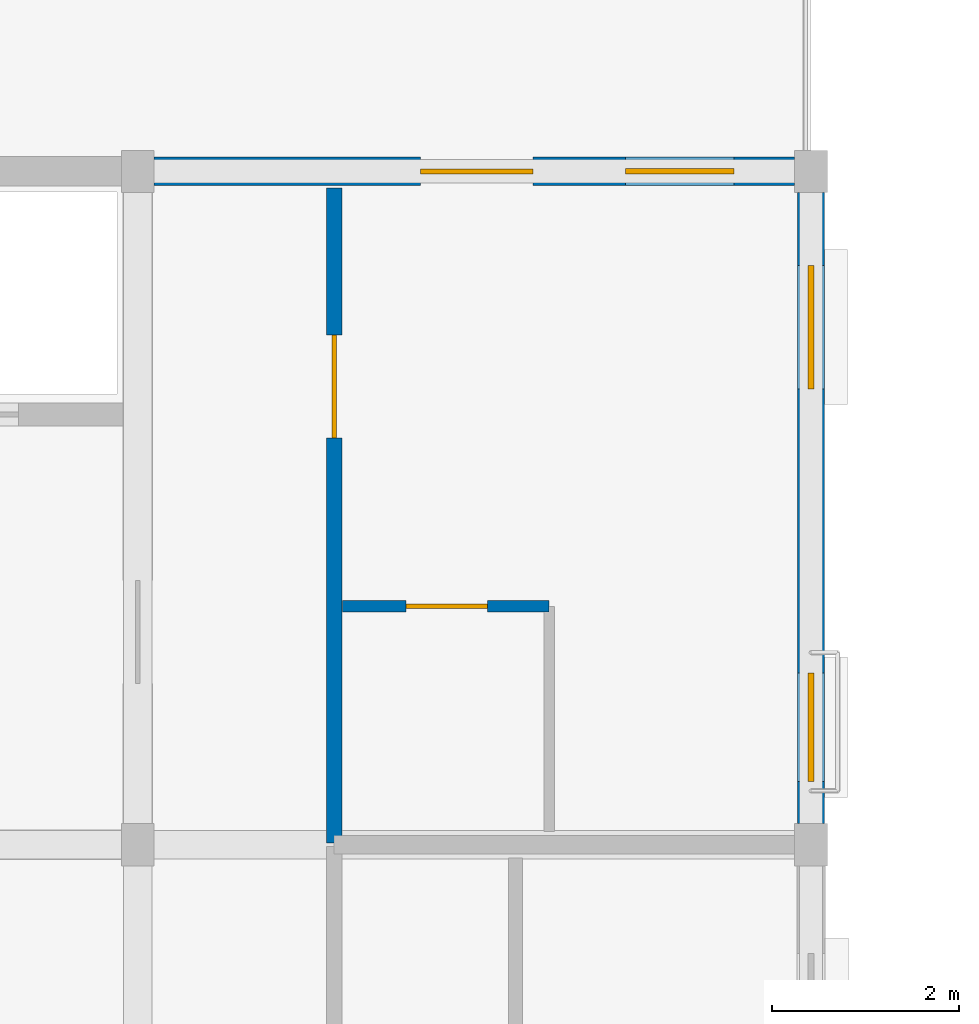
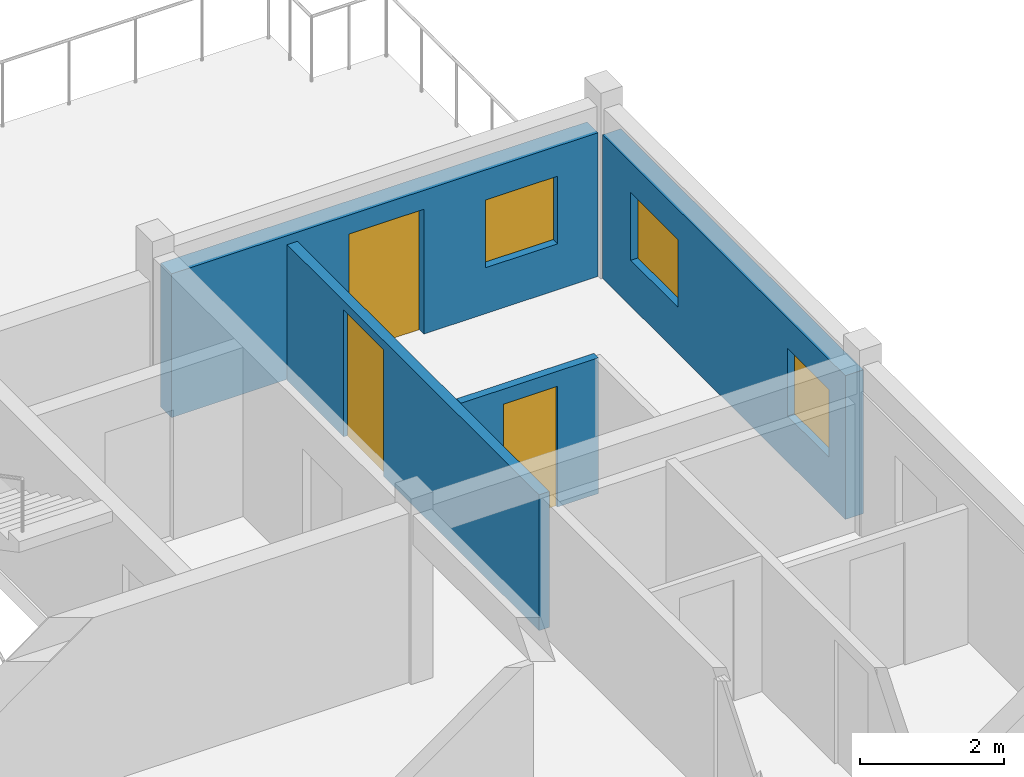
# One storey, part 19 of 22: 4 walls, 3 doors, 3 windows, 6 openings.
"""IFC4 building model written with IfcOpenShell, lengths in metres."""

from ifc_helpers import new_model, si_unit, direction, frame, frame_2d, origin, place, context, subcontext, project, spatial, rectangle, extrude, material, layer, layer_set, type_object, element, fill, save


model = new_model("IFC4")

# Units and contexts
model_context = context("Model", 3, precision=1e-05, world=origin(), true_north=direction((0.0, 1.0)))
body_context = subcontext(model_context, "Body", "Model", "MODEL_VIEW")
ifc_project = project(units=[si_unit("LENGTHUNIT", "METRE"), si_unit("AREAUNIT", "SQUARE_METRE"), si_unit("VOLUMEUNIT", "CUBIC_METRE"), si_unit("PLANEANGLEUNIT", "RADIAN"), si_unit("MASSUNIT", "GRAM", prefix="KILO"), si_unit("THERMODYNAMICTEMPERATUREUNIT", "KELVIN"), si_unit("POWERUNIT", "WATT")], contexts=[model_context])

# Site, building, storey
site_placement = place(None, origin())
site = spatial("IfcSite", under=ifc_project, at=site_placement, CompositionType="ELEMENT")
building_placement = place(site_placement, origin())
building = spatial("IfcBuilding", under=site, at=building_placement, Name="Tavuni Mirador Residences", CompositionType="ELEMENT")
storey_placement = place(building_placement, frame((0.0, 0.0, 45.449951171875)))
storey = spatial("IfcBuildingStorey", under=building, at=storey_placement, Name="L14", CompositionType="ELEMENT", Elevation=45.449951171875)

# Wall, opening, door
ifc_material_1 = material(Name="Precast concrete C40/50", Category="concrete")
ifc_layer_1 = layer(ifc_material_1, 0.1650390625, Name="Precast concrete C40/50", Category="concrete")
ifc_layer_set_1 = layer_set([ifc_layer_1], Name="Precast concrete C40/50")
wall_type_1 = type_object("IfcWallType", Name="WT-CORR165", PredefinedType="PARTITIONING", material=ifc_layer_set_1)
wall_1_placement = place(storey_placement, frame((20.10009765625, 28.820068359375, 0.0), z_axis=(0.0, 0.0, 1.0), x_axis=(0.0, 1.0, 0.0)))
wall_1 = element("IfcWall", 1, at=wall_1_placement, inside=storey, type_object=wall_type_1, Name="CORW-BLK-A-L14-0-03", PredefinedType="PARTITIONING", context=body_context, shape_type="SweptSolid", body=[
    extrude(rectangle(XDim=7.0048828125, YDim=0.1650390625, at=frame_2d((3.50244140625, 0.0))), origin(), (0.0, 0.0, 1.0), 2.304931640625),
])
opening_1_placement = place(wall_1_placement, frame((4.330078125, 0.0, 0.0)))
opening_1 = element("IfcOpeningElement", 2, at=opening_1_placement, cuts=wall_1, Name="Opening D-02", PredefinedType="OPENING", context=body_context, shape_type="SweptSolid", body=[
    extrude(rectangle(XDim=1.10009765625, YDim=2.14990234375, at=frame_2d((0.550048828125, 1.074951171875))), frame((0.0, 0.092529296875, 0.0), z_axis=(0.0, -1.0, 0.0), x_axis=(1.0, 0.0, 0.0)), (0.0, 0.0, 1.0), 0.18505859375),
])
ifc_material_2 = material(Name="Solid core iroko timber", Category="wood")
door_type_1 = type_object("IfcDoorType", Name="DT-LOB1100", OperationType="NOTDEFINED", PredefinedType="DOOR", material=ifc_material_2)
door_1_placement = place(opening_1_placement, origin())
door_1 = element("IfcDoor", 3, at=door_1_placement, inside=storey, type_object=door_type_1, Name="DR-2512", OperationType="SINGLE_SWING_LEFT", OverallHeight=2.14990234375, OverallWidth=1.10009765625, PredefinedType="DOOR", context=body_context, shape_type="SweptSolid", body=[
    extrude(rectangle(XDim=1.10009765625, YDim=2.14990234375, at=frame_2d((0.550048828125, 1.074951171875))), frame((0.0, 0.02490234375, 0.0), z_axis=(0.0, -1.0, 0.0), x_axis=(1.0, 0.0, 0.0)), (0.0, 0.0, 1.0), 0.050048828125),
])
fill(opening_1, door_1)

# Wall, openings, windows
ifc_material_3 = material(Name="Sgraffito lime-rendered precast concrete C40/50", Category="concrete")
ifc_layer_2 = layer(ifc_material_3, 0.2900390625, Name="Sgraffito lime-rendered precast concrete C40/50", Category="concrete")
ifc_layer_set_2 = layer_set([ifc_layer_2], Name="Sgraffito lime-rendered precast concrete C40/50")
wall_type_2 = type_object("IfcWallType", Name="WT-EXT-PC290", PredefinedType="SOLIDWALL", material=ifc_layer_set_2)
wall_2_placement = place(storey_placement, frame((25.199951171875, 29.02490234375, 0.0), z_axis=(0.0, 0.0, 1.0), x_axis=(0.0, 1.0, 0.0)))
wall_2 = element("IfcWall", 4, at=wall_2_placement, inside=storey, type_object=wall_type_2, Name="EW-BLK-A-L14-E03", PredefinedType="SOLIDWALL", context=body_context, shape_type="SweptSolid", body=[
    extrude(rectangle(XDim=6.75, YDim=0.2900390625, at=frame_2d((3.375, 0.0))), origin(), (0.0, 0.0, 1.0), 2.43994140625),
])
opening_2_placement = place(wall_2_placement, frame((0.449951171875, 0.0, 0.780029296875)))
opening_2 = element("IfcOpeningElement", 5, at=opening_2_placement, cuts=wall_2, Name="Opening WN-05", PredefinedType="OPENING", context=body_context, shape_type="SweptSolid", body=[
    extrude(rectangle(XDim=1.159912109375, YDim=1.14990234375, at=frame_2d((0.580078125, 0.574951171875))), frame((0.0, 0.155029296875, 0.0), z_axis=(0.0, -1.0, 0.0), x_axis=(1.0, 0.0, 0.0)), (0.0, 0.0, 1.0), 0.31005859375),
])
opening_3_placement = place(wall_2_placement, frame((4.64990234375, 0.0, 0.780029296875)))
opening_3 = element("IfcOpeningElement", 6, at=opening_3_placement, cuts=wall_2, Name="Opening WN-07", PredefinedType="OPENING", context=body_context, shape_type="SweptSolid", body=[
    extrude(rectangle(XDim=1.320068359375, YDim=1.14990234375, at=frame_2d((0.66015625, 0.574951171875))), frame((0.0, 0.155029296875, 0.0), z_axis=(0.0, -1.0, 0.0), x_axis=(1.0, 0.0, 0.0)), (0.0, 0.0, 1.0), 0.31005859375),
])
ifc_material_4 = material(Name="Laminated solar-control glass", Category="glass")
window_type_1 = type_object("IfcWindowType", Name="WNT-05", PartitioningType="SINGLE_PANEL", PredefinedType="WINDOW", material=ifc_material_4)
window_1_placement = place(opening_2_placement, origin())
window_1 = element("IfcWindow", 7, at=window_1_placement, inside=storey, type_object=window_type_1, Name="WIN-0500", OverallHeight=1.14990234375, OverallWidth=1.159912109375, PartitioningType="SINGLE_PANEL", PredefinedType="WINDOW", context=body_context, shape_type="SweptSolid", body=[
    extrude(rectangle(XDim=1.159912109375, YDim=1.14990234375, at=frame_2d((0.580078125, 0.574951171875))), frame((0.0, 0.030029296875, 0.0), z_axis=(0.0, -1.0, 0.0), x_axis=(1.0, 0.0, 0.0)), (0.0, 0.0, 1.0), 0.06005859375),
])
fill(opening_2, window_1)
window_type_2 = type_object("IfcWindowType", Name="WNT-07", PartitioningType="SINGLE_PANEL", PredefinedType="WINDOW", material=ifc_material_4)
window_2_placement = place(opening_3_placement, origin())
window_2 = element("IfcWindow", 8, at=window_2_placement, inside=storey, type_object=window_type_2, Name="WIN-0501", OverallHeight=1.14990234375, OverallWidth=1.320068359375, PartitioningType="SINGLE_PANEL", PredefinedType="WINDOW", context=body_context, shape_type="SweptSolid", body=[
    extrude(rectangle(XDim=1.320068359375, YDim=1.14990234375, at=frame_2d((0.66015625, 0.574951171875))), frame((0.0, 0.030029296875, 0.0), z_axis=(0.0, -1.0, 0.0), x_axis=(1.0, 0.0, 0.0)), (0.0, 0.0, 1.0), 0.06005859375),
])
fill(opening_3, window_2)

# Wall, openings, door, window
ifc_layer_3 = layer(ifc_material_3, 0.304931640625, Name="Sgraffito lime-rendered precast concrete C40/50", Category="concrete")
ifc_layer_set_3 = layer_set([ifc_layer_3], Name="Sgraffito lime-rendered precast concrete C40/50")
wall_type_3 = type_object("IfcWallType", Name="WT-EXT-PC305", PredefinedType="SOLIDWALL", material=ifc_layer_set_3)
wall_3_placement = place(storey_placement, frame((25.02490234375, 36.0, 0.0), z_axis=(0.0, 0.0, 1.0), x_axis=(-1.0, 0.0, 0.0)))
wall_3 = element("IfcWall", 9, at=wall_3_placement, inside=storey, type_object=wall_type_3, Name="EW-BLK-A-L14-N02", PredefinedType="SOLIDWALL", context=body_context, shape_type="SweptSolid", body=[
    extrude(rectangle(XDim=6.849853515625, YDim=0.304931640625, at=frame_2d((3.4248046875, 0.0))), origin(), (0.0, 0.0, 1.0), 2.43994140625),
])
opening_4_placement = place(wall_3_placement, frame((2.800048828125, 0.0, 0.0)))
opening_4 = element("IfcOpeningElement", 10, at=opening_4_placement, cuts=wall_3, Name="Opening TD-02", PredefinedType="OPENING", context=body_context, shape_type="SweptSolid", body=[
    extrude(rectangle(XDim=1.199951171875, YDim=2.1201171875, at=frame_2d((0.60009765625, 1.06005859375))), frame((0.0, 0.16259765625, 0.0), z_axis=(0.0, -1.0, 0.0), x_axis=(1.0, 0.0, 0.0)), (0.0, 0.0, 1.0), 0.324951171875),
])
opening_5_placement = place(wall_3_placement, frame((0.64990234375, 0.0, 0.780029296875)))
opening_5 = element("IfcOpeningElement", 11, at=opening_5_placement, cuts=wall_3, Name="Opening WN-05", PredefinedType="OPENING", context=body_context, shape_type="SweptSolid", body=[
    extrude(rectangle(XDim=1.159912109375, YDim=1.14990234375, at=frame_2d((0.580078125, 0.574951171875))), frame((0.0, 0.16259765625, 0.0), z_axis=(0.0, -1.0, 0.0), x_axis=(1.0, 0.0, 0.0)), (0.0, 0.0, 1.0), 0.324951171875),
])
ifc_material_5 = material(Name="Anodised aluminium", Category="aluminium")
door_type_2 = type_object("IfcDoorType", Name="DT-TER1200", OperationType="NOTDEFINED", PredefinedType="DOOR", material=ifc_material_5)
door_2_placement = place(opening_4_placement, frame((1.199951171875, 0.0, 0.0), z_axis=(0.0, 0.0, 1.0), x_axis=(-1.0, 0.0, 0.0)))
door_2 = element("IfcDoor", 12, at=door_2_placement, inside=storey, type_object=door_type_2, Name="DR-0006", OperationType="SINGLE_SWING_LEFT", OverallHeight=2.1201171875, OverallWidth=1.199951171875, PredefinedType="DOOR", context=body_context, shape_type="SweptSolid", body=[
    extrude(rectangle(XDim=1.199951171875, YDim=2.1201171875, at=frame_2d((0.60009765625, 1.06005859375))), frame((0.0, 0.02490234375, 0.0), z_axis=(0.0, -1.0, 0.0), x_axis=(1.0, 0.0, 0.0)), (0.0, 0.0, 1.0), 0.050048828125),
])
fill(opening_4, door_2)
window_3_placement = place(opening_5_placement, origin())
window_3 = element("IfcWindow", 13, at=window_3_placement, inside=storey, type_object=window_type_1, Name="WIN-0502", OverallHeight=1.14990234375, OverallWidth=1.159912109375, PartitioningType="SINGLE_PANEL", PredefinedType="WINDOW", context=body_context, shape_type="SweptSolid", body=[
    extrude(rectangle(XDim=1.159912109375, YDim=1.14990234375, at=frame_2d((0.580078125, 0.574951171875))), frame((0.0, 0.030029296875, 0.0), z_axis=(0.0, -1.0, 0.0), x_axis=(1.0, 0.0, 0.0)), (0.0, 0.0, 1.0), 0.06005859375),
])
fill(opening_5, window_3)

# Wall, opening, door
ifc_material_6 = material(Name="Acoustic gypsum and concrete block partition", Category="concrete")
ifc_layer_4 = layer(ifc_material_6, 0.125, Name="Acoustic gypsum and concrete block partition", Category="concrete")
ifc_layer_set_4 = layer_set([ifc_layer_4], Name="Acoustic gypsum and concrete block partition")
wall_type_4 = type_object("IfcWallType", Name="WT-PART125", PredefinedType="PARTITIONING", material=ifc_layer_set_4)
wall_4_placement = place(storey_placement, frame((20.18994140625, 31.35009765625, 0.0), z_axis=(0.0, 0.0, 1.0), x_axis=(1.0, 0.0, 0.0)))
wall_4 = element("IfcWall", 14, at=wall_4_placement, inside=storey, type_object=wall_type_4, Name="PW-BLK-A-L14-E03-2", PredefinedType="PARTITIONING", context=body_context, shape_type="SweptSolid", body=[
    extrude(rectangle(XDim=2.2099609375, YDim=0.125, at=frame_2d((1.10498046875, 0.0))), origin(), (0.0, 0.0, 1.0), 2.304931640625),
])
opening_6_placement = place(wall_4_placement, frame((0.679931640625, 0.0, 0.0)))
opening_6 = element("IfcOpeningElement", 15, at=opening_6_placement, cuts=wall_4, Name="Opening D-10", PredefinedType="OPENING", context=body_context, shape_type="SweptSolid", body=[
    extrude(rectangle(XDim=0.8701171875, YDim=2.050048828125, at=frame_2d((0.43505859375, 1.02490234375))), frame((0.0, 0.072509765625, 0.0), z_axis=(0.0, -1.0, 0.0), x_axis=(1.0, 0.0, 0.0)), (0.0, 0.0, 1.0), 0.14501953125),
])
door_type_3 = type_object("IfcDoorType", Name="DT-WC870", OperationType="NOTDEFINED", PredefinedType="DOOR", material=ifc_material_2)
door_3_placement = place(opening_6_placement, origin())
door_3 = element("IfcDoor", 16, at=door_3_placement, inside=storey, type_object=door_type_3, Name="DR-3399", OperationType="SINGLE_SWING_LEFT", OverallHeight=2.050048828125, OverallWidth=0.8701171875, PredefinedType="DOOR", context=body_context, shape_type="SweptSolid", body=[
    extrude(rectangle(XDim=0.8701171875, YDim=2.050048828125, at=frame_2d((0.43505859375, 1.02490234375))), frame((0.0, 0.02490234375, 0.0), z_axis=(0.0, -1.0, 0.0), x_axis=(1.0, 0.0, 0.0)), (0.0, 0.0, 1.0), 0.050048828125),
])
fill(opening_6, door_3)

save(model, "model.ifc")
